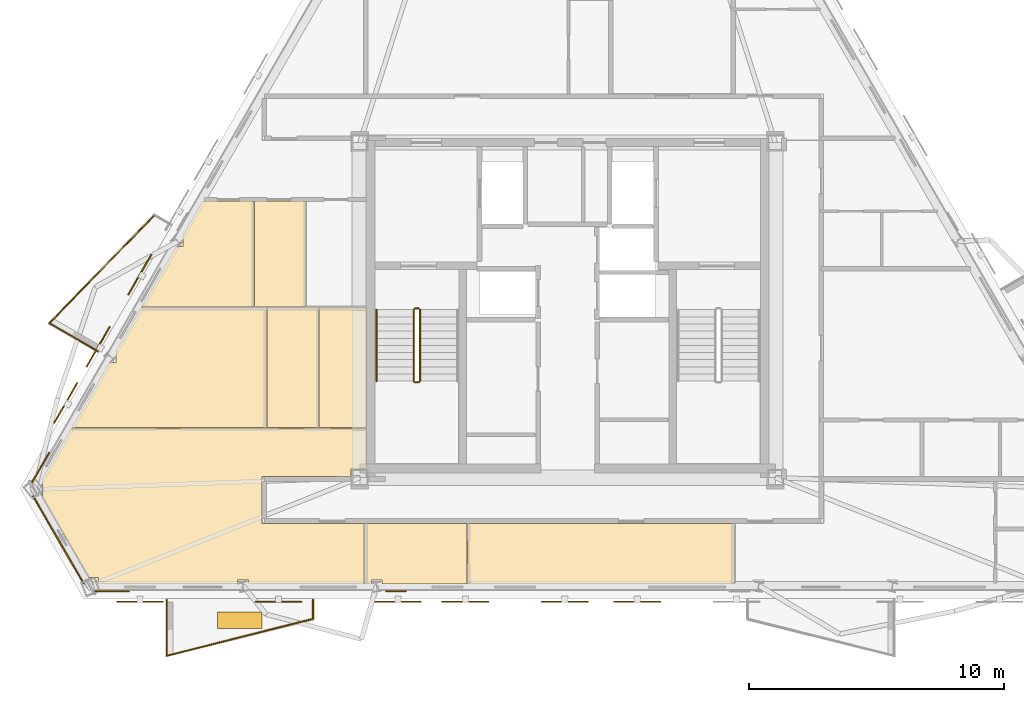
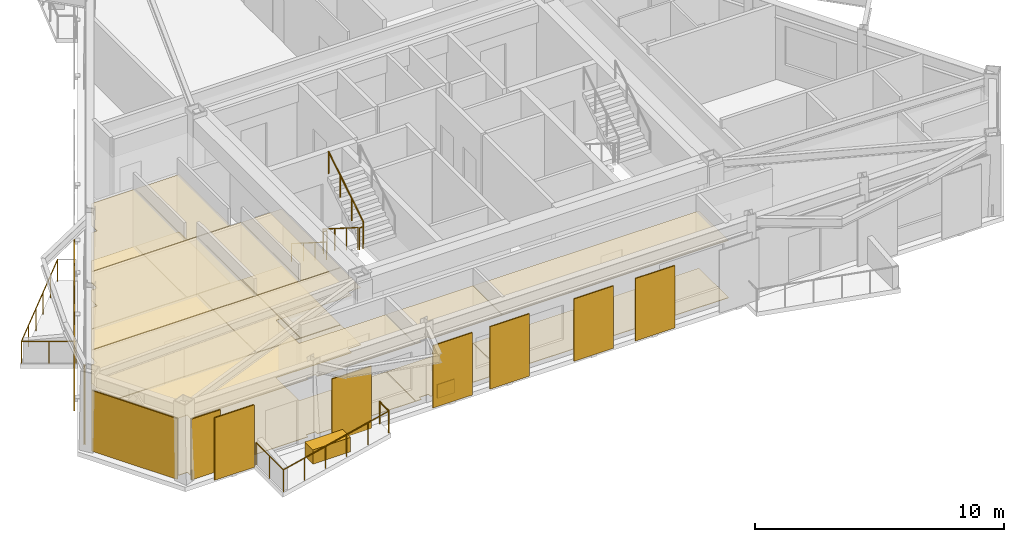
# One storey, part 7 of 9: 21 coverings, 10 railings, 9 shading devices.
"""IFC4 building model written with IfcOpenShell, lengths in metres."""

from ifc_helpers import new_model, si_unit, direction, frame, origin, origin_2d, place, context, subcontext, project, spatial, polyline, rectangle, circle, outline, extrude, material, layer, layer_set, type_object, element, save


model = new_model("IFC4")

# Units and contexts
model_context = context("Model", 3, precision=1e-05, world=origin(), true_north=direction((0.0, 1.0)))
body_context = subcontext(model_context, "Body", "Model", "MODEL_VIEW")
ifc_project = project(units=[si_unit("LENGTHUNIT", "METRE"), si_unit("AREAUNIT", "SQUARE_METRE"), si_unit("VOLUMEUNIT", "CUBIC_METRE"), si_unit("PLANEANGLEUNIT", "RADIAN"), si_unit("MASSUNIT", "GRAM", prefix="KILO")], contexts=[model_context])

# Site, building, storey
site_placement = place(None, origin())
site = spatial("IfcSite", under=ifc_project, at=site_placement, CompositionType="ELEMENT")
building_placement = place(site_placement, origin())
building = spatial("IfcBuilding", under=site, at=building_placement, Name="Oramaril Tower", CompositionType="ELEMENT")
storey_placement = place(building_placement, frame((0.0, 0.0, 281.10009765625)))
storey = spatial("IfcBuildingStorey", under=building, at=storey_placement, Name="L74", CompositionType="ELEMENT", Elevation=281.10009765625)

# Coverings
ifc_material_1 = material(Name="Mineral Fibre Acoustic Ceiling")
ifc_layer_1 = layer(ifc_material_1, 0.02001953125)
ifc_layer_set_1 = layer_set([ifc_layer_1], Name="CVT-CEIL")
covering_type_1 = type_object("IfcCoveringType", Name="CVT-CEIL", PredefinedType="CEILING", material=ifc_layer_set_1)
covering_1_placement = place(storey_placement, frame((0.0, 0.0, 2.81201171875)))
element("IfcCovering", 1, at=covering_1_placement, inside=storey, type_object=covering_type_1, Name="L74 Acoustic Suspended Ceiling 5", PredefinedType="CEILING", context=body_context, shape_type="SweptSolid", body=[
    extrude(outline(polyline([(33.57568359375, 6.819580078125), (33.57568359375, 9.199951171875), (44.0419921875, 9.199951171875), (44.0419921875, 6.819580078125), (33.57568359375, 6.819580078125)])), origin(), (0.0, 0.0, 1.0), 0.019775390625),
])
covering_2_placement = place(storey_placement, frame((0.0, 0.0, 2.81201171875)))
element("IfcCovering", 2, at=covering_2_placement, inside=storey, type_object=covering_type_1, Name="L74 Acoustic Suspended Ceiling 6", PredefinedType="CEILING", context=body_context, shape_type="SweptSolid", body=[
    extrude(outline(polyline([(30.219482421875, 6.819580078125), (30.219482421875, 6.976318359375), (29.79736328125, 6.976318359375), (29.79736328125, 6.819580078125), (29.5380859375, 6.819580078125), (29.5380859375, 9.199951171875), (33.5556640625, 9.199951171875), (33.5556640625, 6.819580078125), (30.219482421875, 6.819580078125)])), origin(), (0.0, 0.0, 1.0), 0.019775390625),
])
covering_3_placement = place(storey_placement, frame((0.0, 0.0, 2.81201171875)))
element("IfcCovering", 3, at=covering_3_placement, inside=storey, type_object=covering_type_1, Name="L74 Acoustic Suspended Ceiling 10", PredefinedType="CEILING", context=body_context, shape_type="SweptSolid", body=[
    extrude(outline(polyline([(29.60009765625, 12.945068359375), (29.60009765625, 11.344970703125), (29.0048828125, 11.344970703125), (29.0048828125, 11.050048828125), (25.52001953125, 11.050048828125), (25.51806640625, 11.0498046875), (25.51611328125, 11.049560546875), (25.51416015625, 11.049072265625), (25.51220703125, 11.048583984375), (25.510498046875, 11.047607421875), (25.5087890625, 11.046630859375), (25.50732421875, 11.04541015625), (25.505859375, 11.044189453125), (25.50439453125, 11.042724609375), (25.50341796875, 11.041015625), (25.50244140625, 11.039306640625), (25.50146484375, 11.03759765625), (25.5009765625, 11.035888671875), (25.50048828125, 11.033935546875), (25.5, 11.031982421875), (25.5, 11.030029296875), (25.5, 9.219970703125), (25.5, 9.218017578125), (25.50048828125, 9.216064453125), (25.5009765625, 9.214111328125), (25.50146484375, 9.21240234375), (25.50244140625, 9.210693359375), (25.50341796875, 9.208984375), (25.50439453125, 9.207275390625), (25.505859375, 9.205810546875), (25.50732421875, 9.20458984375), (25.5087890625, 9.203369140625), (25.510498046875, 9.202392578125), (25.51220703125, 9.201416015625), (25.51416015625, 9.200927734375), (25.51611328125, 9.200439453125), (25.51806640625, 9.2001953125), (25.52001953125, 9.199951171875), (29.51806640625, 9.199951171875), (29.51806640625, 6.819580078125), (24.978515625, 6.819580078125), (24.978515625, 6.976318359375), (24.550048828125, 6.976318359375), (24.550048828125, 6.819580078125), (19.102294921875, 6.819580078125), (19.102294921875, 7.089599609375), (18.688720703125, 7.089599609375), (16.884033203125, 10.215576171875), (16.905517578125, 10.215576171875), (16.905517578125, 10.904296875), (16.85595703125, 10.904296875), (18.0341796875, 12.945068359375), (29.60009765625, 12.945068359375)])), origin(), (0.0, 0.0, 1.0), 0.019775390625),
])
covering_4_placement = place(storey_placement, frame((0.0, 0.0, 2.81201171875)))
element("IfcCovering", 4, at=covering_4_placement, inside=storey, type_object=covering_type_1, Name="L74 Acoustic Suspended Ceiling 11", PredefinedType="CEILING", context=body_context, shape_type="SweptSolid", body=[
    extrude(outline(polyline([(19.522216796875, 15.5224609375), (19.79052734375, 15.5224609375), (19.79052734375, 15.977783203125), (19.785400390625, 15.977783203125), (20.77490234375, 17.69189453125), (25.681884765625, 17.69189453125), (25.681884765625, 12.965087890625), (18.0458984375, 12.965087890625), (19.522216796875, 15.5224609375)])), origin(), (0.0, 0.0, 1.0), 0.019775390625),
])
covering_5_placement = place(storey_placement, frame((0.0, 0.0, 2.81201171875)))
element("IfcCovering", 5, at=covering_5_placement, inside=storey, type_object=covering_type_1, Name="L74 Acoustic Suspended Ceiling 12", PredefinedType="CEILING", context=body_context, shape_type="SweptSolid", body=[
    extrude(outline(polyline([(27.73193359375, 17.69189453125), (27.73193359375, 12.965087890625), (25.701904296875, 12.965087890625), (25.701904296875, 17.69189453125), (27.73193359375, 17.69189453125)])), origin(), (0.0, 0.0, 1.0), 0.019775390625),
])
covering_6_placement = place(storey_placement, frame((0.0, 0.0, 2.81201171875)))
element("IfcCovering", 6, at=covering_6_placement, inside=storey, type_object=covering_type_1, Name="L74 Acoustic Suspended Ceiling 13", PredefinedType="CEILING", context=body_context, shape_type="SweptSolid", body=[
    extrude(outline(polyline([(29.60009765625, 17.69189453125), (29.60009765625, 12.965087890625), (27.751953125, 12.965087890625), (27.751953125, 17.69189453125), (29.60009765625, 17.69189453125)])), origin(), (0.0, 0.0, 1.0), 0.019775390625),
])
covering_7_placement = place(storey_placement, frame((0.0, 0.0, 2.81201171875)))
element("IfcCovering", 7, at=covering_7_placement, inside=storey, type_object=covering_type_1, Name="L74 Acoustic Suspended Ceiling 15", PredefinedType="CEILING", context=body_context, shape_type="SweptSolid", body=[
    extrude(outline(polyline([(22.4140625, 20.06689453125), (22.4140625, 20.5166015625), (22.40576171875, 20.5166015625), (23.175048828125, 21.84912109375), (23.175537109375, 21.848876953125), (23.17724609375, 21.84814453125), (23.17919921875, 21.847412109375), (23.18115234375, 21.846923828125), (23.18310546875, 21.8466796875), (23.18505859375, 21.846435546875), (25.189697265625, 21.846435546875), (25.189697265625, 17.7119140625), (20.78662109375, 17.7119140625), (22.14599609375, 20.06689453125), (22.4140625, 20.06689453125)])), origin(), (0.0, 0.0, 1.0), 0.019775390625),
])
covering_8_placement = place(storey_placement, frame((0.0, 0.0, 2.81201171875)))
element("IfcCovering", 8, at=covering_8_placement, inside=storey, type_object=covering_type_1, Name="L74 Acoustic Suspended Ceiling 16", PredefinedType="CEILING", context=body_context, shape_type="SweptSolid", body=[
    extrude(outline(polyline([(27.23974609375, 17.7119140625), (25.701904296875, 17.7119140625), (25.699951171875, 17.7119140625), (25.697998046875, 17.711669921875), (25.6962890625, 17.711181640625), (25.6943359375, 17.71044921875), (25.692626953125, 17.709716796875), (25.69189453125, 17.709228515625), (25.69140625, 17.709716796875), (25.689697265625, 17.71044921875), (25.687744140625, 17.711181640625), (25.685791015625, 17.711669921875), (25.68408203125, 17.7119140625), (25.681884765625, 17.7119140625), (25.209716796875, 17.7119140625), (25.209716796875, 21.846435546875), (27.23974609375, 21.846435546875), (27.23974609375, 17.7119140625)])), origin(), (0.0, 0.0, 1.0), 0.019775390625),
])
ifc_material_2 = material(Name="Warm Cream Limestone", Category="masonry")
ifc_layer_2 = layer(ifc_material_2, 0.050048828125)
ifc_layer_set_2 = layer_set([ifc_layer_2], Name="CVT-CLD")
covering_type_2 = type_object("IfcCoveringType", Name="CVT-CLD", PredefinedType="CLADDING", material=ifc_layer_set_2)
covering_9_placement = place(storey_placement, frame((17.518798828125, 8.56396484375, 0.039794921875), z_axis=(0.0, 0.0, 1.0), x_axis=(0.499992442484, -0.866029767075, 0.0)))
element("IfcCovering", 9, at=covering_9_placement, inside=storey, type_object=covering_type_2, Name="L74 Warm Cream Limestone Cladding", PredefinedType="CLADDING", context=body_context, shape_type="SweptSolid", body=[
    extrude(rectangle(XDim=3.9716796875, YDim=0.050048828125, at=origin_2d()), origin(), (0.0, 0.0, 1.0), 2.97802734375),
])
covering_10_placement = place(storey_placement, frame((19.63232421875, 6.543701171875, 0.039794921875), z_axis=(0.0, 0.0, 1.0), x_axis=(1.0, 0.0, 0.0)))
element("IfcCovering", 10, at=covering_10_placement, inside=storey, type_object=covering_type_2, Name="L74 Warm Cream Limestone Cladding", PredefinedType="CLADDING", context=body_context, shape_type="SweptSolid", body=[
    extrude(rectangle(XDim=1.35009765625, YDim=0.050048828125, at=origin_2d()), origin(), (0.0, 0.0, 1.0), 2.97802734375),
])
covering_11_placement = place(storey_placement, frame((30.76171875, 6.543701171875, 0.0400390625), z_axis=(0.0, 0.0, 1.0), x_axis=(1.0, 0.0, 0.0)))
element("IfcCovering", 11, at=covering_11_placement, inside=storey, type_object=covering_type_2, Name="L74 Warm Cream Limestone Spandrel Cladding", PredefinedType="CLADDING", context=body_context, shape_type="SweptSolid", body=[
    extrude(rectangle(XDim=0.800048828125, YDim=0.050048828125, at=origin_2d()), origin(), (0.0, 0.0, 1.0), 0.679931640625),
])
covering_12_placement = place(storey_placement, frame((16.825927734375, 11.404296875, 0.039794921875), z_axis=(0.0, 0.0, 1.0), x_axis=(-0.5, -0.866025403784, 0.0)))
element("IfcCovering", 12, at=covering_12_placement, inside=storey, type_object=covering_type_2, Name="L74 Warm Cream Limestone Cladding", PredefinedType="CLADDING", context=body_context, shape_type="SweptSolid", body=[
    extrude(rectangle(XDim=1.35009765625, YDim=0.050048828125, at=origin_2d()), origin(), (0.0, 0.0, 1.0), 2.97802734375),
])
covering_13_placement = place(storey_placement, frame((24.6416015625, 5.4150390625, 0.0), z_axis=(0.0, 0.0, 1.0), x_axis=(1.0, 0.0, 0.0)))
element("IfcCovering", 13, at=covering_13_placement, inside=storey, type_object=covering_type_2, Name="L74 Structural Tree Planter Box L74-BAL-S1", PredefinedType="CLADDING", context=body_context, shape_type="SweptSolid", body=[
    extrude(rectangle(XDim=1.75, YDim=0.64990234375, at=origin_2d()), origin(), (0.0, 0.0, 1.0), 0.699951171875),
])
ifc_material_3 = material(Name="Honed Quartzite Stone Flooring", Category="masonry")
ifc_layer_3 = layer(ifc_material_3, 0.02490234375)
ifc_layer_set_3 = layer_set([ifc_layer_3], Name="CVT-FLR")
covering_type_3 = type_object("IfcCoveringType", Name="CVT-FLR", PredefinedType="FLOORING", material=ifc_layer_set_3)
covering_14_placement = place(storey_placement, origin())
element("IfcCovering", 14, at=covering_14_placement, inside=storey, type_object=covering_type_3, Name="L74 Honed Stone Floor Finish 5", PredefinedType="FLOORING", context=body_context, shape_type="SweptSolid", body=[
    extrude(outline(polyline([(33.57568359375, 6.819580078125), (33.57568359375, 9.199951171875), (44.0419921875, 9.199951171875), (44.0419921875, 6.819580078125), (33.57568359375, 6.819580078125)])), origin(), (0.0, 0.0, 1.0), 0.02490234375),
])
covering_15_placement = place(storey_placement, origin())
element("IfcCovering", 15, at=covering_15_placement, inside=storey, type_object=covering_type_3, Name="L74 Honed Stone Floor Finish 6", PredefinedType="FLOORING", context=body_context, shape_type="SweptSolid", body=[
    extrude(outline(polyline([(30.219482421875, 6.819580078125), (30.219482421875, 6.976318359375), (29.79736328125, 6.976318359375), (29.79736328125, 6.819580078125), (29.5380859375, 6.819580078125), (29.5380859375, 9.199951171875), (33.5556640625, 9.199951171875), (33.5556640625, 6.819580078125), (30.219482421875, 6.819580078125)])), origin(), (0.0, 0.0, 1.0), 0.02490234375),
])
covering_16_placement = place(storey_placement, origin())
element("IfcCovering", 16, at=covering_16_placement, inside=storey, type_object=covering_type_3, Name="L74 Honed Stone Floor Finish 10", PredefinedType="FLOORING", context=body_context, shape_type="SweptSolid", body=[
    extrude(outline(polyline([(29.60009765625, 12.945068359375), (29.60009765625, 11.344970703125), (29.0048828125, 11.344970703125), (29.0048828125, 11.050048828125), (25.52001953125, 11.050048828125), (25.51806640625, 11.0498046875), (25.51611328125, 11.049560546875), (25.51416015625, 11.049072265625), (25.51220703125, 11.048583984375), (25.510498046875, 11.047607421875), (25.5087890625, 11.046630859375), (25.50732421875, 11.04541015625), (25.505859375, 11.044189453125), (25.50439453125, 11.042724609375), (25.50341796875, 11.041015625), (25.50244140625, 11.039306640625), (25.50146484375, 11.03759765625), (25.5009765625, 11.035888671875), (25.50048828125, 11.033935546875), (25.5, 11.031982421875), (25.5, 11.030029296875), (25.5, 9.219970703125), (25.5, 9.218017578125), (25.50048828125, 9.216064453125), (25.5009765625, 9.214111328125), (25.50146484375, 9.21240234375), (25.50244140625, 9.210693359375), (25.50341796875, 9.208984375), (25.50439453125, 9.207275390625), (25.505859375, 9.205810546875), (25.50732421875, 9.20458984375), (25.5087890625, 9.203369140625), (25.510498046875, 9.202392578125), (25.51220703125, 9.201416015625), (25.51416015625, 9.200927734375), (25.51611328125, 9.200439453125), (25.51806640625, 9.2001953125), (25.52001953125, 9.199951171875), (29.51806640625, 9.199951171875), (29.51806640625, 6.819580078125), (24.978515625, 6.819580078125), (24.978515625, 6.976318359375), (24.550048828125, 6.976318359375), (24.550048828125, 6.819580078125), (19.102294921875, 6.819580078125), (19.102294921875, 7.089599609375), (18.688720703125, 7.089599609375), (16.884033203125, 10.215576171875), (16.905517578125, 10.215576171875), (16.905517578125, 10.904296875), (16.85595703125, 10.904296875), (18.0341796875, 12.945068359375), (29.60009765625, 12.945068359375)])), origin(), (0.0, 0.0, 1.0), 0.02490234375),
])
covering_17_placement = place(storey_placement, origin())
element("IfcCovering", 17, at=covering_17_placement, inside=storey, type_object=covering_type_3, Name="L74 Honed Stone Floor Finish 11", PredefinedType="FLOORING", context=body_context, shape_type="SweptSolid", body=[
    extrude(outline(polyline([(19.522216796875, 15.5224609375), (19.79052734375, 15.5224609375), (19.79052734375, 15.977783203125), (19.785400390625, 15.977783203125), (20.77490234375, 17.69189453125), (25.681884765625, 17.69189453125), (25.681884765625, 12.965087890625), (18.0458984375, 12.965087890625), (19.522216796875, 15.5224609375)])), origin(), (0.0, 0.0, 1.0), 0.02490234375),
])
covering_18_placement = place(storey_placement, origin())
element("IfcCovering", 18, at=covering_18_placement, inside=storey, type_object=covering_type_3, Name="L74 Honed Stone Floor Finish 12", PredefinedType="FLOORING", context=body_context, shape_type="SweptSolid", body=[
    extrude(outline(polyline([(27.73193359375, 17.69189453125), (27.73193359375, 12.965087890625), (25.701904296875, 12.965087890625), (25.701904296875, 17.69189453125), (27.73193359375, 17.69189453125)])), origin(), (0.0, 0.0, 1.0), 0.02490234375),
])
covering_19_placement = place(storey_placement, origin())
element("IfcCovering", 19, at=covering_19_placement, inside=storey, type_object=covering_type_3, Name="L74 Honed Stone Floor Finish 13", PredefinedType="FLOORING", context=body_context, shape_type="SweptSolid", body=[
    extrude(outline(polyline([(29.60009765625, 17.69189453125), (29.60009765625, 12.965087890625), (27.751953125, 12.965087890625), (27.751953125, 17.69189453125), (29.60009765625, 17.69189453125)])), origin(), (0.0, 0.0, 1.0), 0.02490234375),
])
covering_20_placement = place(storey_placement, origin())
element("IfcCovering", 20, at=covering_20_placement, inside=storey, type_object=covering_type_3, Name="L74 Honed Stone Floor Finish 15", PredefinedType="FLOORING", context=body_context, shape_type="SweptSolid", body=[
    extrude(outline(polyline([(22.4140625, 20.06689453125), (22.4140625, 20.5166015625), (22.40576171875, 20.5166015625), (23.175048828125, 21.84912109375), (23.175537109375, 21.848876953125), (23.17724609375, 21.84814453125), (23.17919921875, 21.847412109375), (23.18115234375, 21.846923828125), (23.18310546875, 21.8466796875), (23.18505859375, 21.846435546875), (25.189697265625, 21.846435546875), (25.189697265625, 17.7119140625), (20.78662109375, 17.7119140625), (22.14599609375, 20.06689453125), (22.4140625, 20.06689453125)])), origin(), (0.0, 0.0, 1.0), 0.02490234375),
])
covering_21_placement = place(storey_placement, origin())
element("IfcCovering", 21, at=covering_21_placement, inside=storey, type_object=covering_type_3, Name="L74 Honed Stone Floor Finish 16", PredefinedType="FLOORING", context=body_context, shape_type="SweptSolid", body=[
    extrude(outline(polyline([(27.23974609375, 17.7119140625), (25.701904296875, 17.7119140625), (25.699951171875, 17.7119140625), (25.697998046875, 17.711669921875), (25.6962890625, 17.711181640625), (25.6943359375, 17.71044921875), (25.692626953125, 17.709716796875), (25.69189453125, 17.709228515625), (25.69140625, 17.709716796875), (25.689697265625, 17.71044921875), (25.687744140625, 17.711181640625), (25.685791015625, 17.711669921875), (25.68408203125, 17.7119140625), (25.681884765625, 17.7119140625), (25.209716796875, 17.7119140625), (25.209716796875, 21.846435546875), (27.23974609375, 21.846435546875), (27.23974609375, 17.7119140625)])), origin(), (0.0, 0.0, 1.0), 0.02490234375),
])

# Railings
ifc_material_4 = material(Name="Stainless Steel 316L", Category="steel")
railing_type_1 = type_object("IfcRailingType", Name="RLT-GRD", PredefinedType="GUARDRAIL", material=ifc_material_4)
railing_1_placement = place(storey_placement, frame((27.506591796875, 6.20361328125, 0.0)))
element("IfcRailing", 22, at=railing_1_placement, inside=storey, type_object=railing_type_1, Name="L74 Balcony Guardrail L74-BAL-S1.1", PredefinedType="GUARDRAIL", context=body_context, shape_type="SweptSolid", body=[
    extrude(circle(Radius=0.02392578125, at=origin_2d()), frame((0.0, 0.0, 1.076171875), z_axis=(0.0, -1.0, 0.0), x_axis=(1.0, 0.0, 0.0)), (0.0, 0.0, 1.0), 0.741943359375),
    extrude(circle(Radius=0.02099609375, at=origin_2d()), origin(), (0.0, 0.0, 1.0), 1.052001953125),
    extrude(circle(Radius=0.02099609375, at=origin_2d()), frame((0.0, -0.741943359375, 0.0)), (0.0, 0.0, 1.0), 1.052001953125),
])
railing_2_placement = place(storey_placement, frame((27.506591796875, 5.461669921875, 0.0)))
element("IfcRailing", 23, at=railing_2_placement, inside=storey, type_object=railing_type_1, Name="L74 Balcony Guardrail L74-BAL-S1.2", PredefinedType="GUARDRAIL", context=body_context, shape_type="SweptSolid", body=[
    extrude(circle(Radius=0.02392578125, at=origin_2d()), frame((0.0, 0.0, 1.076171875), z_axis=(-0.969443611257, -0.245314256807, 0.0), x_axis=(0.245314256807, -0.969443611257, 0.0)), (0.0, 0.0, 1.0), 5.91064453125),
    extrude(circle(Radius=0.02099609375, at=origin_2d()), origin(), (0.0, 0.0, 1.0), 1.052001953125),
    extrude(circle(Radius=0.02099609375, at=origin_2d()), frame((-1.14599609375, -0.2900390625, 0.0)), (0.0, 0.0, 1.0), 1.052001953125),
    extrude(circle(Radius=0.02099609375, at=origin_2d()), frame((-2.2919921875, -0.580078125, 0.0)), (0.0, 0.0, 1.0), 1.052001953125),
    extrude(circle(Radius=0.02099609375, at=origin_2d()), frame((-3.43798828125, -0.869873046875, 0.0)), (0.0, 0.0, 1.0), 1.052001953125),
    extrude(circle(Radius=0.02099609375, at=origin_2d()), frame((-4.583984375, -1.159912109375, 0.0)), (0.0, 0.0, 1.0), 1.052001953125),
    extrude(circle(Radius=0.02099609375, at=origin_2d()), frame((-5.72998046875, -1.449951171875, 0.0)), (0.0, 0.0, 1.0), 1.052001953125),
])
railing_3_placement = place(storey_placement, frame((21.776611328125, 4.01171875, 0.0)))
element("IfcRailing", 24, at=railing_3_placement, inside=storey, type_object=railing_type_1, Name="L74 Balcony Guardrail L74-BAL-S1.3", PredefinedType="GUARDRAIL", context=body_context, shape_type="SweptSolid", body=[
    extrude(circle(Radius=0.02392578125, at=origin_2d()), frame((0.0, 0.0, 1.076171875), z_axis=(0.0, 1.0, 0.0), x_axis=(-1.0, 0.0, 0.0)), (0.0, 0.0, 1.0), 2.19189453125),
    extrude(circle(Radius=0.02099609375, at=origin_2d()), origin(), (0.0, 0.0, 1.0), 1.052001953125),
    extrude(circle(Radius=0.02099609375, at=origin_2d()), frame((0.0, 1.095947265625, 0.0)), (0.0, 0.0, 1.0), 1.052001953125),
    extrude(circle(Radius=0.02099609375, at=origin_2d()), frame((0.0, 2.19189453125, 0.0)), (0.0, 0.0, 1.0), 1.052001953125),
])
railing_4_placement = place(storey_placement, frame((19.066162109375, 15.964599609375, 0.0)))
element("IfcRailing", 25, at=railing_4_placement, inside=storey, type_object=railing_type_1, Name="L74 Balcony Guardrail L74-BAL-NW2.1", PredefinedType="GUARDRAIL", context=body_context, shape_type="SweptSolid", body=[
    extrude(circle(Radius=0.02392578125, at=origin_2d()), frame((0.0, 0.0, 1.076171875), z_axis=(-0.866020500697, 0.5000084923, 0.0), x_axis=(-0.5000084923, -0.866020500697, 0.0)), (0.0, 0.0, 1.0), 2.19189453125),
    extrude(circle(Radius=0.02099609375, at=origin_2d()), origin(), (0.0, 0.0, 1.0), 1.052001953125),
    extrude(circle(Radius=0.02099609375, at=origin_2d()), frame((-0.94921875, 0.5478515625, 0.0)), (0.0, 0.0, 1.0), 1.052001953125),
    extrude(circle(Radius=0.02099609375, at=origin_2d()), frame((-1.898193359375, 1.095947265625, 0.0)), (0.0, 0.0, 1.0), 1.052001953125),
])
railing_5_placement = place(storey_placement, frame((17.16796875, 17.060546875, 0.0)))
element("IfcRailing", 26, at=railing_5_placement, inside=storey, type_object=railing_type_1, Name="L74 Balcony Guardrail L74-BAL-NW2.2", PredefinedType="GUARDRAIL", context=body_context, shape_type="SweptSolid", body=[
    extrude(circle(Radius=0.02392578125, at=origin_2d()), frame((0.0, 0.0, 1.076171875), z_axis=(0.697186915353, 0.716889395277, 0.0), x_axis=(-0.716889395277, 0.697186915353, 0.0)), (0.0, 0.0, 1.0), 5.91064453125),
    extrude(circle(Radius=0.02099609375, at=origin_2d()), origin(), (0.0, 0.0, 1.0), 1.052001953125),
    extrude(circle(Radius=0.02099609375, at=origin_2d()), frame((0.82421875, 0.847412109375, 0.0)), (0.0, 0.0, 1.0), 1.052001953125),
    extrude(circle(Radius=0.02099609375, at=origin_2d()), frame((1.6484375, 1.69482421875, 0.0)), (0.0, 0.0, 1.0), 1.052001953125),
    extrude(circle(Radius=0.02099609375, at=origin_2d()), frame((2.472412109375, 2.54248046875, 0.0)), (0.0, 0.0, 1.0), 1.052001953125),
    extrude(circle(Radius=0.02099609375, at=origin_2d()), frame((3.296630859375, 3.389892578125, 0.0)), (0.0, 0.0, 1.0), 1.052001953125),
    extrude(circle(Radius=0.02099609375, at=origin_2d()), frame((4.120849609375, 4.2373046875, 0.0)), (0.0, 0.0, 1.0), 1.052001953125),
])
railing_6_placement = place(storey_placement, frame((31.4599609375, 17.590087890625, 0.17724609375)))
element("IfcRailing", 27, at=railing_6_placement, inside=storey, type_object=railing_type_1, Name="L74 ST-1 stair guard 1", PredefinedType="GUARDRAIL", context=body_context, shape_type="SweptSolid", body=[
    extrude(circle(Radius=0.02392578125, at=origin_2d()), frame((0.0, 0.0, 1.076171875), z_axis=(0.0, -0.844908973607, 0.534910110503), x_axis=(1.0, 0.0, 0.0)), (0.0, 0.0, 1.0), 3.31396484375),
    extrude(circle(Radius=0.02099609375, at=origin_2d()), origin(), (0.0, 0.0, 1.0), 1.052001953125),
    extrude(circle(Radius=0.02099609375, at=origin_2d()), frame((0.0, -0.933349609375, 0.5908203125)), (0.0, 0.0, 1.0), 1.052001953125),
    extrude(circle(Radius=0.02099609375, at=origin_2d()), frame((0.0, -1.86669921875, 1.181884765625)), (0.0, 0.0, 1.0), 1.052001953125),
    extrude(circle(Radius=0.02099609375, at=origin_2d()), frame((0.0, -2.800048828125, 1.772705078125)), (0.0, 0.0, 1.0), 1.052001953125),
])
railing_7_placement = place(storey_placement, frame((31.510009765625, 14.739990234375, 1.949951171875)))
element("IfcRailing", 28, at=railing_7_placement, inside=storey, type_object=railing_type_1, Name="L74 ST-1 stair guard 2", PredefinedType="GUARDRAIL", context=body_context, shape_type="SweptSolid", body=[
    extrude(circle(Radius=0.02392578125, at=origin_2d()), frame((0.0, 0.0, 1.076171875), z_axis=(1.0, 0.0, 0.0), x_axis=(0.0, 1.0, 0.0)), (0.0, 0.0, 1.0), 0.14990234375),
    extrude(circle(Radius=0.02099609375, at=origin_2d()), origin(), (0.0, 0.0, 1.0), 1.052001953125),
    extrude(circle(Radius=0.02099609375, at=origin_2d()), frame((0.14990234375, 0.0, 0.0)), (0.0, 0.0, 1.0), 1.052001953125),
])
railing_8_placement = place(storey_placement, frame((31.7099609375, 14.7900390625, 2.127197265625)))
element("IfcRailing", 29, at=railing_8_placement, inside=storey, type_object=railing_type_1, Name="L74 ST-1 stair guard 3", PredefinedType="GUARDRAIL", context=body_context, shape_type="SweptSolid", body=[
    extrude(circle(Radius=0.02392578125, at=origin_2d()), frame((0.0, 0.0, 1.076171875), z_axis=(0.0, 0.844908973607, 0.534910110503), x_axis=(-1.0, 0.0, 0.0)), (0.0, 0.0, 1.0), 3.31396484375),
    extrude(circle(Radius=0.02099609375, at=origin_2d()), origin(), (0.0, 0.0, 1.0), 1.052001953125),
    extrude(circle(Radius=0.02099609375, at=origin_2d()), frame((0.0, 0.933349609375, 0.5908203125)), (0.0, 0.0, 1.0), 1.052001953125),
    extrude(circle(Radius=0.02099609375, at=origin_2d()), frame((0.0, 1.86669921875, 1.181884765625)), (0.0, 0.0, 1.0), 1.052001953125),
    extrude(circle(Radius=0.02099609375, at=origin_2d()), frame((0.0, 2.800048828125, 1.772705078125)), (0.0, 0.0, 1.0), 1.052001953125),
])
railing_9_placement = place(storey_placement, frame((31.510009765625, 17.639892578125, 0.0)))
element("IfcRailing", 30, at=railing_9_placement, inside=storey, type_object=railing_type_1, Name="L74 ST-1 stair guard 4", PredefinedType="GUARDRAIL", context=body_context, shape_type="SweptSolid", body=[
    extrude(circle(Radius=0.02392578125, at=origin_2d()), frame((0.0, 0.0, 1.076171875), z_axis=(1.0, 0.0, 0.0), x_axis=(0.0, 1.0, 0.0)), (0.0, 0.0, 1.0), 0.14990234375),
    extrude(circle(Radius=0.02099609375, at=origin_2d()), origin(), (0.0, 0.0, 1.0), 1.052001953125),
    extrude(circle(Radius=0.02099609375, at=origin_2d()), frame((0.14990234375, 0.0, 0.0)), (0.0, 0.0, 1.0), 1.052001953125),
])
ifc_material_5 = material(Name="Stainless Steel 316L", Category="steel")
railing_type_2 = type_object("IfcRailingType", Name="RLT-HND", PredefinedType="HANDRAIL", material=ifc_material_5)
railing_10_placement = place(storey_placement, frame((30.0, 17.590087890625, 0.17724609375)))
element("IfcRailing", 31, at=railing_10_placement, inside=storey, type_object=railing_type_2, Name="L74 ST-1 stair handrail 1", PredefinedType="HANDRAIL", context=body_context, shape_type="SweptSolid", body=[
    extrude(circle(Radius=0.02392578125, at=origin_2d()), frame((0.0, 0.0, 0.8759765625), z_axis=(0.0, -0.844908973607, 0.534910110503), x_axis=(1.0, 0.0, 0.0)), (0.0, 0.0, 1.0), 3.31396484375),
    extrude(circle(Radius=0.02099609375, at=origin_2d()), origin(), (0.0, 0.0, 1.0), 0.851806640625),
    extrude(circle(Radius=0.02099609375, at=origin_2d()), frame((0.0, -0.933349609375, 0.5908203125)), (0.0, 0.0, 1.0), 0.851806640625),
    extrude(circle(Radius=0.02099609375, at=origin_2d()), frame((0.0, -1.86669921875, 1.181884765625)), (0.0, 0.0, 1.0), 0.851806640625),
    extrude(circle(Radius=0.02099609375, at=origin_2d()), frame((0.0, -2.800048828125, 1.772705078125)), (0.0, 0.0, 1.0), 0.851806640625),
])

# Shading devices
for number, where, z_axis, x_axis, name in (
    (32, (33.487060546875, 6.131591796875, -0.020263671875), (0.0, 0.0, 1.0), (1.0, 0.0, 0.0), "L74 Perforated Ceramic Solar Screen"),
    (33, (37.38720703125, 6.131591796875, -0.020263671875), (0.0, 0.0, 1.0), (1.0, 0.0, 0.0), "L74 Perforated Ceramic Solar Screen"),
    (34, (40.23046875, 6.131591796875, -0.020263671875), (0.0, 0.0, 1.0), (1.0, 0.0, 0.0), "L74 Perforated Ceramic Solar Screen"),
    (35, (30.843017578125, 6.131591796875, -0.020263671875), (0.0, 0.0, 1.0), (1.0, 0.0, 0.0), "L74 Perforated Ceramic Solar Screen"),
    (36, (20.722412109375, 6.131591796875, -0.020263671875), (0.0, 0.0, 1.0), (1.0, 0.0, 0.0), "L74 Perforated Ceramic Solar Screen"),
    (37, (26.1572265625, 6.131591796875, -0.020263671875), (0.0, 0.0, 1.0), (1.0, 0.0, 0.0), "L74 Perforated Ceramic Solar Screen"),
    (38, (17.811279296875, 13.934814453125, -0.020263671875), (0.0, 0.0, 1.0), (-0.5, -0.866025403784, 0.0), "L74 Perforated Ceramic Solar Screen"),
    (39, (20.71630859375, 18.966552734375, -0.020263671875), (0.0, 0.0, 1.0), (-0.5, -0.866025403784, 0.0), "L74 Perforated Ceramic Solar Screen"),
    (40, (19.08251953125, 16.136474609375, -0.020263671875), (0.0, 0.0, 1.0), (-0.5, -0.866025403784, 0.0), "L74 Perforated Ceramic Solar Screen"),
):
    element("IfcShadingDevice", number, at=place(storey_placement, frame(where, z_axis=z_axis, x_axis=x_axis)), inside=storey, Name=name, ObjectType="SCREEN", PredefinedType="USERDEFINED", context=body_context, shape_type="SweptSolid", body=[
        extrude(rectangle(XDim=1.8330078125, YDim=0.050048828125, at=origin_2d()), origin(), (0.0, 0.0, 1.0), 3.05810546875),
    ])

save(model, "model.ifc")
